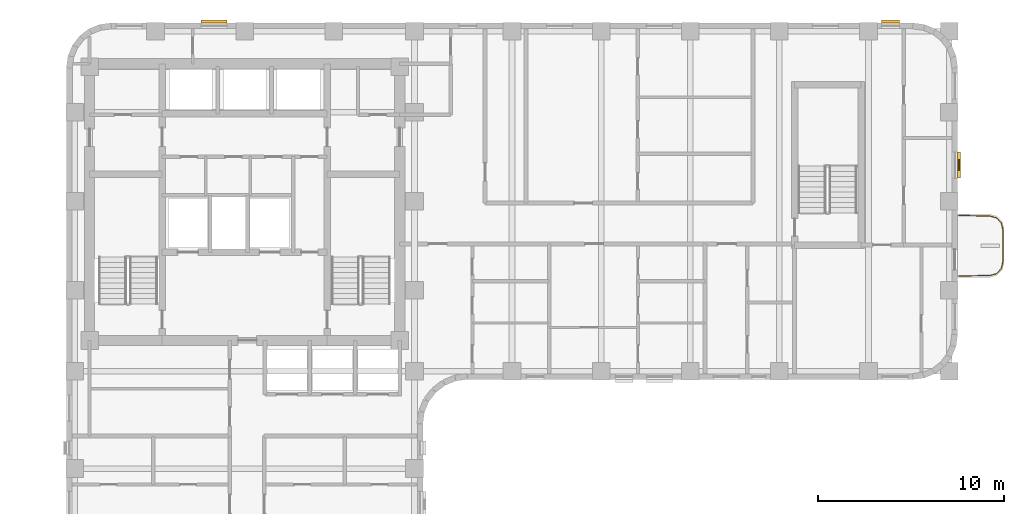
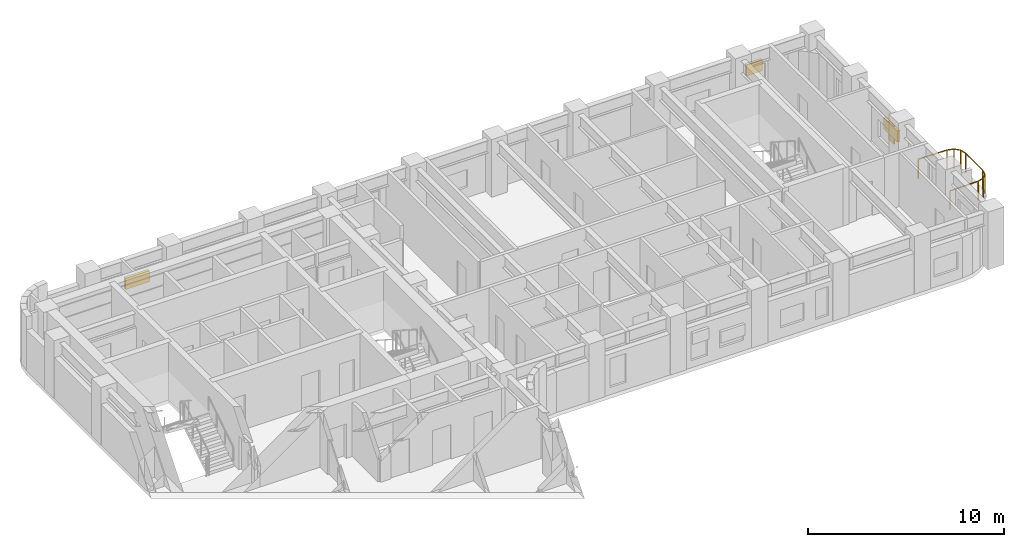
# One storey, part 10 of 10: 4 shading devices, 1 railing.
"""IFC4 building model written with IfcOpenShell, lengths in metres."""

from ifc_helpers import new_model, si_unit, direction, frame, origin, origin_2d, place, context, subcontext, project, spatial, rectangle, extrude, material, type_object, element, save


model = new_model("IFC4")

# Units and contexts
model_context = context("Model", 3, precision=1e-05, world=origin(), true_north=direction((0.0, 1.0)))
body_context = subcontext(model_context, "Body", "Model", "MODEL_VIEW")
ifc_project = project(units=[si_unit("LENGTHUNIT", "METRE"), si_unit("AREAUNIT", "SQUARE_METRE"), si_unit("VOLUMEUNIT", "CUBIC_METRE"), si_unit("PLANEANGLEUNIT", "RADIAN"), si_unit("MASSUNIT", "GRAM", prefix="KILO")], contexts=[model_context])

# Site, building, storey
site_placement = place(None, origin())
site = spatial("IfcSite", under=ifc_project, at=site_placement, CompositionType="ELEMENT")
building_placement = place(site_placement, origin())
building = spatial("IfcBuilding", under=site, at=building_placement, Name="Orvandelia Arch Residences", CompositionType="ELEMENT")
storey_placement = place(building_placement, frame((0.0, 0.0, 118.0)))
storey = spatial("IfcBuildingStorey", under=building, at=storey_placement, Name="L30", CompositionType="ELEMENT", Elevation=118.0)

# Railing
ifc_material_1 = material(Name="Marine-Grade Stainless Steel 316", Category="steel")
railing_type = type_object("IfcRailingType", Name="GRD-BAL-1200", PredefinedType="BALUSTRADE", material=ifc_material_1)
railing_placement = place(storey_placement, frame((52.871826171875, 34.36962890625, 0.0)))
element("IfcRailing", 1, at=railing_placement, inside=storey, type_object=railing_type, Name="Safety Balustrade Guard GRD-L30-BAL-L30-E1-1", PredefinedType="BALUSTRADE", context=body_context, shape_type="SweptSolid", body=[
    extrude(rectangle(XDim=0.048095703125, YDim=0.048095703125, at=origin_2d()), frame((0.0, 0.0, 1.19580078125), z_axis=(0.999837384468, 0.018033430643, 0.0), x_axis=(-0.018033430643, 0.999837384468, 0.0)), (0.0, 0.0, 1.0), 1.6787109375),
    extrude(rectangle(XDim=0.048095703125, YDim=0.048095703125, at=origin_2d()), frame((1.678466796875, 0.0302734375, 1.19580078125), z_axis=(0.96348920644, 0.267747173792, 0.0), x_axis=(-0.267747173792, 0.96348920644, 0.0)), (0.0, 0.0, 1.0), 0.36572265625),
    extrude(rectangle(XDim=0.048095703125, YDim=0.048095703125, at=origin_2d()), frame((2.03076171875, 0.128173828125, 1.19580078125), z_axis=(0.687947031175, 0.725760898848, 0.0), x_axis=(-0.725760898848, 0.687947031175, 0.0)), (0.0, 0.0, 1.0), 0.367919921875),
    extrude(rectangle(XDim=0.048095703125, YDim=0.048095703125, at=origin_2d()), frame((2.283935546875, 0.395263671875, 1.19580078125), z_axis=(0.221225034864, 0.975222786828, 0.0), x_axis=(-0.975222786828, 0.221225034864, 0.0)), (0.0, 0.0, 1.0), 0.373046875),
    extrude(rectangle(XDim=0.048095703125, YDim=0.048095703125, at=origin_2d()), frame((2.366455078125, 0.759033203125, 1.19580078125), z_axis=(0.0, 1.0, 0.0), x_axis=(-1.0, 0.0, 0.0)), (0.0, 0.0, 1.0), 1.74267578125),
    extrude(rectangle(XDim=0.048095703125, YDim=0.048095703125, at=origin_2d()), frame((2.366455078125, 2.501708984375, 1.19580078125), z_axis=(-0.221225034864, 0.975222786828, 0.0), x_axis=(-0.975222786828, -0.221225034864, 0.0)), (0.0, 0.0, 1.0), 0.373046875),
    extrude(rectangle(XDim=0.048095703125, YDim=0.048095703125, at=origin_2d()), frame((2.283935546875, 2.865478515625, 1.19580078125), z_axis=(-0.687947031175, 0.725760898848, 0.0), x_axis=(-0.725760898848, -0.687947031175, 0.0)), (0.0, 0.0, 1.0), 0.367919921875),
    extrude(rectangle(XDim=0.048095703125, YDim=0.048095703125, at=origin_2d()), frame((2.03076171875, 3.132568359375, 1.19580078125), z_axis=(-0.96348920644, 0.267747173792, 0.0), x_axis=(-0.267747173792, -0.96348920644, 0.0)), (0.0, 0.0, 1.0), 0.36572265625),
    extrude(rectangle(XDim=0.048095703125, YDim=0.048095703125, at=origin_2d()), frame((1.678466796875, 3.23046875, 1.19580078125), z_axis=(-0.999837384468, 0.018033430643, 0.0), x_axis=(-0.018033430643, -0.999837384468, 0.0)), (0.0, 0.0, 1.0), 1.6787109375),
    extrude(rectangle(XDim=0.0419921875, YDim=0.0419921875, at=origin_2d()), origin(), (0.0, 0.0, 1.0), 1.171875),
    extrude(rectangle(XDim=0.0419921875, YDim=0.0419921875, at=origin_2d()), frame((1.678466796875, 0.0302734375, 0.0)), (0.0, 0.0, 1.0), 1.171875),
    extrude(rectangle(XDim=0.0419921875, YDim=0.0419921875, at=origin_2d()), frame((2.03076171875, 0.128173828125, 0.0)), (0.0, 0.0, 1.0), 1.171875),
    extrude(rectangle(XDim=0.0419921875, YDim=0.0419921875, at=origin_2d()), frame((2.283935546875, 0.395263671875, 0.0)), (0.0, 0.0, 1.0), 1.171875),
    extrude(rectangle(XDim=0.0419921875, YDim=0.0419921875, at=origin_2d()), frame((2.366455078125, 0.759033203125, 0.0)), (0.0, 0.0, 1.0), 1.171875),
    extrude(rectangle(XDim=0.0419921875, YDim=0.0419921875, at=origin_2d()), frame((2.366455078125, 2.501708984375, 0.0)), (0.0, 0.0, 1.0), 1.171875),
    extrude(rectangle(XDim=0.0419921875, YDim=0.0419921875, at=origin_2d()), frame((2.283935546875, 2.865478515625, 0.0)), (0.0, 0.0, 1.0), 1.171875),
    extrude(rectangle(XDim=0.0419921875, YDim=0.0419921875, at=origin_2d()), frame((2.03076171875, 3.132568359375, 0.0)), (0.0, 0.0, 1.0), 1.171875),
    extrude(rectangle(XDim=0.0419921875, YDim=0.0419921875, at=origin_2d()), frame((1.678466796875, 3.23046875, 0.0)), (0.0, 0.0, 1.0), 1.171875),
    extrude(rectangle(XDim=0.0419921875, YDim=0.0419921875, at=origin_2d()), frame((0.0, 3.2607421875, 0.0)), (0.0, 0.0, 1.0), 1.171875),
])

# Shading devices
ifc_material_2 = material(Name="Anodised Champagne-Bronze Extruded Aluminium", Category="aluminium")
shading_device_type_1 = type_object("IfcShadingDeviceType", Name="SHD-JALOUSIE-SCREEN", PredefinedType="JALOUSIE", material=ifc_material_2)
shading_device_1_placement = place(storey_placement, frame((49.1875, 48.080078125, 1.5498046875), z_axis=(0.0, 0.0, 1.0), x_axis=(1.0, 0.0, 0.0)))
element("IfcShadingDevice", 2, at=shading_device_1_placement, inside=storey, type_object=shading_device_type_1, Name="Bronze Jalousie Sun-Shade L30-001", PredefinedType="JALOUSIE", context=body_context, shape_type="SweptSolid", body=[
    extrude(rectangle(XDim=0.949951171875, YDim=0.159912109375, at=origin_2d()), origin(), (0.0, 0.0, 1.0), 0.699951171875),
])
for number, where, z_axis, x_axis, name in (
    (3, (12.75244140625, 48.080078125, 1.0498046875), (0.0, 0.0, 1.0), (1.0, 0.0, 0.0), "Bronze Jalousie Sun-Shade L30-002"),
    (4, (52.8798828125, 40.347412109375, 1.0498046875), (0.0, 0.0, 1.0), (0.0, -1.0, 0.0), "Bronze Jalousie Sun-Shade L30-003"),
):
    element("IfcShadingDevice", number, at=place(storey_placement, frame(where, z_axis=z_axis, x_axis=x_axis)), inside=storey, type_object=shading_device_type_1, Name=name, PredefinedType="JALOUSIE", context=body_context, shape_type="SweptSolid", body=[
        extrude(rectangle(XDim=1.39990234375, YDim=0.159912109375, at=origin_2d()), origin(), (0.0, 0.0, 1.0), 0.699951171875),
    ])
ifc_material_3 = material(Name="Marine-Grade Perforated Aluminium Storm Shutter", Category="aluminium")
shading_device_type_2 = type_object("IfcShadingDeviceType", Name="SHD-STORM-SHUTTER", PredefinedType="SHUTTER", material=ifc_material_3)
shading_device_2_placement = place(storey_placement, frame((52.8798828125, 40.347412109375, 0.64990234375), z_axis=(0.0, 0.0, 1.0), x_axis=(0.0, -1.0, 0.0)))
element("IfcShadingDevice", 5, at=shading_device_2_placement, inside=storey, type_object=shading_device_type_2, Name="Operable Typhoon Storm Shutter L30-003", PredefinedType="SHUTTER", context=body_context, shape_type="SweptSolid", body=[
    extrude(rectangle(XDim=0.550048828125, YDim=0.080078125, at=origin_2d()), origin(), (0.0, 0.0, 1.0), 1.10009765625),
])

save(model, "model.ifc")
